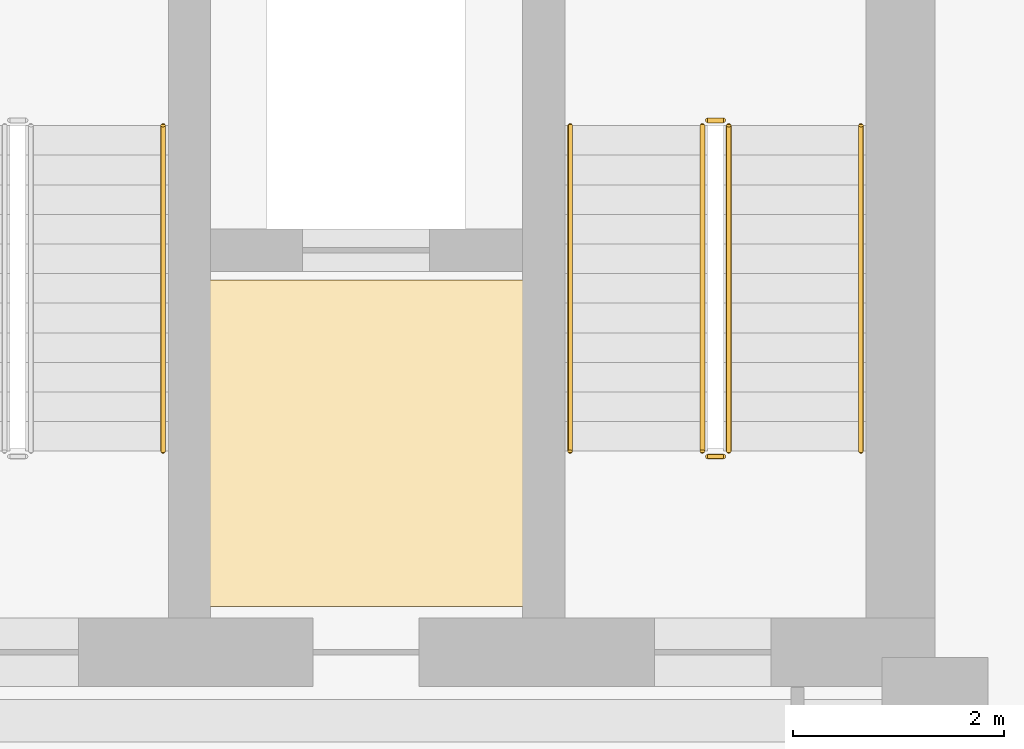
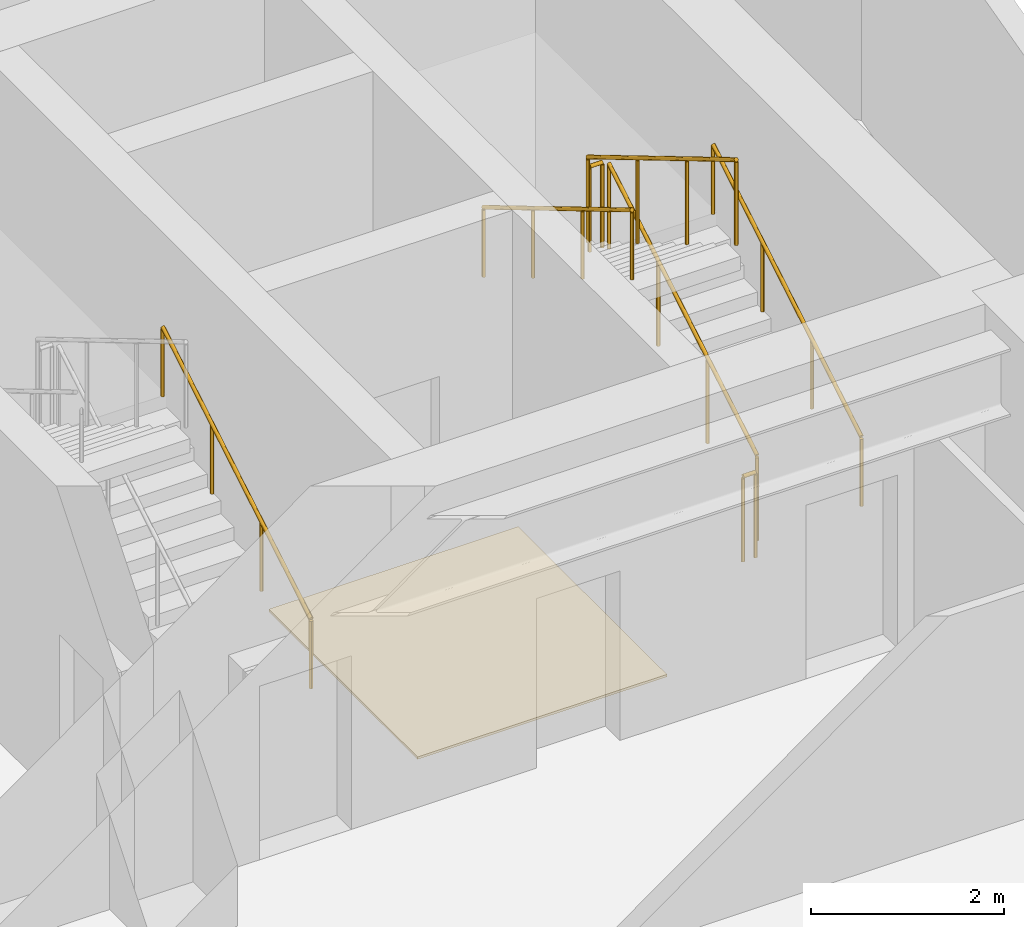
# One storey, part 26 of 26: 7 railings, 1 covering.
"""IFC4 building model written with IfcOpenShell, lengths in metres."""

from ifc_helpers import new_model, si_unit, direction, frame, origin, origin_2d, place, context, subcontext, project, spatial, polyline, circle, outline, extrude, material, layer, layer_set, type_object, element, save


model = new_model("IFC4")

# Units and contexts
model_context = context("Model", 3, precision=1e-05, world=origin(), true_north=direction((0.0, 1.0)))
body_context = subcontext(model_context, "Body", "Model", "MODEL_VIEW")
ifc_project = project(units=[si_unit("LENGTHUNIT", "METRE"), si_unit("AREAUNIT", "SQUARE_METRE"), si_unit("VOLUMEUNIT", "CUBIC_METRE"), si_unit("PLANEANGLEUNIT", "RADIAN"), si_unit("MASSUNIT", "GRAM", prefix="KILO")], contexts=[model_context])

# Site, building, storey
site_placement = place(None, origin())
site = spatial("IfcSite", under=ifc_project, at=site_placement, CompositionType="ELEMENT")
building_placement = place(site_placement, origin())
building = spatial("IfcBuilding", under=site, at=building_placement, Name="Kravanh Interchange Tower", CompositionType="ELEMENT")
storey_placement = place(building_placement, frame((0.0, 0.0, 144.0)))
storey = spatial("IfcBuildingStorey", under=building, at=storey_placement, Name="L34", CompositionType="ELEMENT", Elevation=144.0)

# Covering
ifc_material_1 = material(Name="Cementitious Terrazzo Tile")
ifc_layer_1 = layer(ifc_material_1, 0.030029296875)
ifc_layer_set_1 = layer_set([ifc_layer_1], Name="Honed Terrazzo Lobby Flooring 30mm")
covering_type = type_object("IfcCoveringType", Name="Honed Terrazzo Lobby Flooring 30mm", PredefinedType="FLOORING", material=ifc_layer_set_1)
covering_placement = place(storey_placement, origin())
element("IfcCovering", 1, at=covering_placement, inside=storey, type_object=covering_type, Name="L34 Service Lift Lobby Floor Finish", PredefinedType="FLOORING", context=body_context, shape_type="SweptSolid", body=[
    extrude(outline(polyline([(59.6298828125, 41.52001953125), (62.6201171875, 41.52001953125), (62.6201171875, 38.429931640625), (59.6298828125, 38.429931640625), (59.6298828125, 41.52001953125)])), origin(), (0.0, 0.0, 1.0), 0.030029296875),
])

# Railings
ifc_material_2 = material(Name="Structural Steel S355", Category="steel")
ifc_layer_2 = layer(ifc_material_2, 0.050048828125)
ifc_layer_set_2 = layer_set([ifc_layer_2], Name="Stair Well Guardrail Structural Steel S355 1100mm")
railing_type_1 = type_object("IfcRailingType", Name="Stair Well Guardrail Structural Steel S355 1100mm", PredefinedType="GUARDRAIL", material=ifc_layer_set_2)
railing_1_placement = place(storey_placement, frame((64.550048828125, 39.89990234375, 0.166748046875)))
element("IfcRailing", 2, at=railing_1_placement, inside=storey, type_object=railing_type_1, Name="L34 ST1 stair guard 1", PredefinedType="GUARDRAIL", context=body_context, shape_type="SweptSolid", body=[
    extrude(circle(Radius=0.02392578125, at=origin_2d()), frame((0.0, 0.0, 1.076171875), z_axis=(0.0, 0.859308565015, 0.511457515432), x_axis=(-1.0, 0.0, 0.0)), (0.0, 0.0, 1.0), 3.58447265625),
    extrude(circle(Radius=0.02099609375, at=origin_2d()), origin(), (0.0, 0.0, 1.0), 1.052001953125),
    extrude(circle(Radius=0.02099609375, at=origin_2d()), frame((0.0, 1.026611328125, 0.611083984375)), (0.0, 0.0, 1.0), 1.052001953125),
    extrude(circle(Radius=0.02099609375, at=origin_2d()), frame((0.0, 2.053466796875, 1.22216796875)), (0.0, 0.0, 1.0), 1.052001953125),
    extrude(circle(Radius=0.02099609375, at=origin_2d()), frame((0.0, 3.080078125, 1.833251953125)), (0.0, 0.0, 1.0), 1.052001953125),
])
railing_2_placement = place(storey_placement, frame((64.5, 43.030029296875, 2.0)))
element("IfcRailing", 3, at=railing_2_placement, inside=storey, type_object=railing_type_1, Name="L34 ST1 stair guard 2", PredefinedType="GUARDRAIL", context=body_context, shape_type="SweptSolid", body=[
    extrude(circle(Radius=0.02392578125, at=origin_2d()), frame((0.0, 0.0, 1.076171875), z_axis=(-1.0, 0.0, 0.0), x_axis=(0.0, -1.0, 0.0)), (0.0, 0.0, 1.0), 0.14990234375),
    extrude(circle(Radius=0.02099609375, at=origin_2d()), origin(), (0.0, 0.0, 1.0), 1.052001953125),
    extrude(circle(Radius=0.02099609375, at=origin_2d()), frame((-0.14990234375, 0.0, 0.0)), (0.0, 0.0, 1.0), 1.052001953125),
])
railing_3_placement = place(storey_placement, frame((64.300048828125, 42.97998046875, 2.166748046875)))
element("IfcRailing", 4, at=railing_3_placement, inside=storey, type_object=railing_type_1, Name="L34 ST1 stair guard 3", PredefinedType="GUARDRAIL", context=body_context, shape_type="SweptSolid", body=[
    extrude(circle(Radius=0.02392578125, at=origin_2d()), frame((0.0, 0.0, 1.076171875), z_axis=(0.0, -0.859308565015, 0.511457515432), x_axis=(1.0, 0.0, 0.0)), (0.0, 0.0, 1.0), 3.58447265625),
    extrude(circle(Radius=0.02099609375, at=origin_2d()), origin(), (0.0, 0.0, 1.0), 1.052001953125),
    extrude(circle(Radius=0.02099609375, at=origin_2d()), frame((0.0, -1.026611328125, 0.611083984375)), (0.0, 0.0, 1.0), 1.052001953125),
    extrude(circle(Radius=0.02099609375, at=origin_2d()), frame((0.0, -2.053466796875, 1.22216796875)), (0.0, 0.0, 1.0), 1.052001953125),
    extrude(circle(Radius=0.02099609375, at=origin_2d()), frame((0.0, -3.080078125, 1.833251953125)), (0.0, 0.0, 1.0), 1.052001953125),
])
railing_4_placement = place(storey_placement, frame((64.5, 39.85009765625, 0.0)))
element("IfcRailing", 5, at=railing_4_placement, inside=storey, type_object=railing_type_1, Name="L34 ST1 stair guard 4", PredefinedType="GUARDRAIL", context=body_context, shape_type="SweptSolid", body=[
    extrude(circle(Radius=0.02392578125, at=origin_2d()), frame((0.0, 0.0, 1.076171875), z_axis=(-1.0, 0.0, 0.0), x_axis=(0.0, -1.0, 0.0)), (0.0, 0.0, 1.0), 0.14990234375),
    extrude(circle(Radius=0.02099609375, at=origin_2d()), origin(), (0.0, 0.0, 1.0), 1.052001953125),
    extrude(circle(Radius=0.02099609375, at=origin_2d()), frame((-0.14990234375, 0.0, 0.0)), (0.0, 0.0, 1.0), 1.052001953125),
])
ifc_material_3 = material(Name="Stainless Steel 304", Category="steel")
ifc_layer_3 = layer(ifc_material_3, 0.044921875)
ifc_layer_set_3 = layer_set([ifc_layer_3], Name="Tubular Stair Handrail Stainless 304 900mm")
railing_type_2 = type_object("IfcRailingType", Name="Tubular Stair Handrail Stainless 304 900mm", PredefinedType="HANDRAIL", material=ifc_layer_set_3)
railing_5_placement = place(storey_placement, frame((65.800048828125, 39.89990234375, 0.166748046875)))
element("IfcRailing", 6, at=railing_5_placement, inside=storey, type_object=railing_type_2, Name="L34 ST1 stair handrail 1", PredefinedType="HANDRAIL", context=body_context, shape_type="SweptSolid", body=[
    extrude(circle(Radius=0.02392578125, at=origin_2d()), frame((0.0, 0.0, 0.8759765625), z_axis=(0.0, 0.859308565015, 0.511457515432), x_axis=(-1.0, 0.0, 0.0)), (0.0, 0.0, 1.0), 3.58447265625),
    extrude(circle(Radius=0.02099609375, at=origin_2d()), origin(), (0.0, 0.0, 1.0), 0.851806640625),
    extrude(circle(Radius=0.02099609375, at=origin_2d()), frame((0.0, 1.026611328125, 0.611083984375)), (0.0, 0.0, 1.0), 0.851806640625),
    extrude(circle(Radius=0.02099609375, at=origin_2d()), frame((0.0, 2.053466796875, 1.22216796875)), (0.0, 0.0, 1.0), 0.851806640625),
    extrude(circle(Radius=0.02099609375, at=origin_2d()), frame((0.0, 3.080078125, 1.833251953125)), (0.0, 0.0, 1.0), 0.851806640625),
])
railing_6_placement = place(storey_placement, frame((63.050048828125, 42.97998046875, 2.166748046875)))
element("IfcRailing", 7, at=railing_6_placement, inside=storey, type_object=railing_type_2, Name="L34 ST1 stair handrail 2", PredefinedType="HANDRAIL", context=body_context, shape_type="SweptSolid", body=[
    extrude(circle(Radius=0.02392578125, at=origin_2d()), frame((0.0, 0.0, 0.8759765625), z_axis=(0.0, -0.859308565015, 0.511457515432), x_axis=(1.0, 0.0, 0.0)), (0.0, 0.0, 1.0), 3.58447265625),
    extrude(circle(Radius=0.02099609375, at=origin_2d()), origin(), (0.0, 0.0, 1.0), 0.851806640625),
    extrude(circle(Radius=0.02099609375, at=origin_2d()), frame((0.0, -1.026611328125, 0.611083984375)), (0.0, 0.0, 1.0), 0.851806640625),
    extrude(circle(Radius=0.02099609375, at=origin_2d()), frame((0.0, -2.053466796875, 1.22216796875)), (0.0, 0.0, 1.0), 0.851806640625),
    extrude(circle(Radius=0.02099609375, at=origin_2d()), frame((0.0, -3.080078125, 1.833251953125)), (0.0, 0.0, 1.0), 0.851806640625),
])
railing_7_placement = place(storey_placement, frame((59.199951171875, 39.89990234375, 0.166748046875)))
element("IfcRailing", 8, at=railing_7_placement, inside=storey, type_object=railing_type_2, Name="L34 ST2 stair handrail 1", PredefinedType="HANDRAIL", context=body_context, shape_type="SweptSolid", body=[
    extrude(circle(Radius=0.02392578125, at=origin_2d()), frame((0.0, 0.0, 0.8759765625), z_axis=(0.0, 0.859308565015, 0.511457515432), x_axis=(-1.0, 0.0, 0.0)), (0.0, 0.0, 1.0), 3.58447265625),
    extrude(circle(Radius=0.02099609375, at=origin_2d()), origin(), (0.0, 0.0, 1.0), 0.851806640625),
    extrude(circle(Radius=0.02099609375, at=origin_2d()), frame((0.0, 1.026611328125, 0.611083984375)), (0.0, 0.0, 1.0), 0.851806640625),
    extrude(circle(Radius=0.02099609375, at=origin_2d()), frame((0.0, 2.053466796875, 1.22216796875)), (0.0, 0.0, 1.0), 0.851806640625),
    extrude(circle(Radius=0.02099609375, at=origin_2d()), frame((0.0, 3.080078125, 1.833251953125)), (0.0, 0.0, 1.0), 0.851806640625),
])

save(model, "model.ifc")
